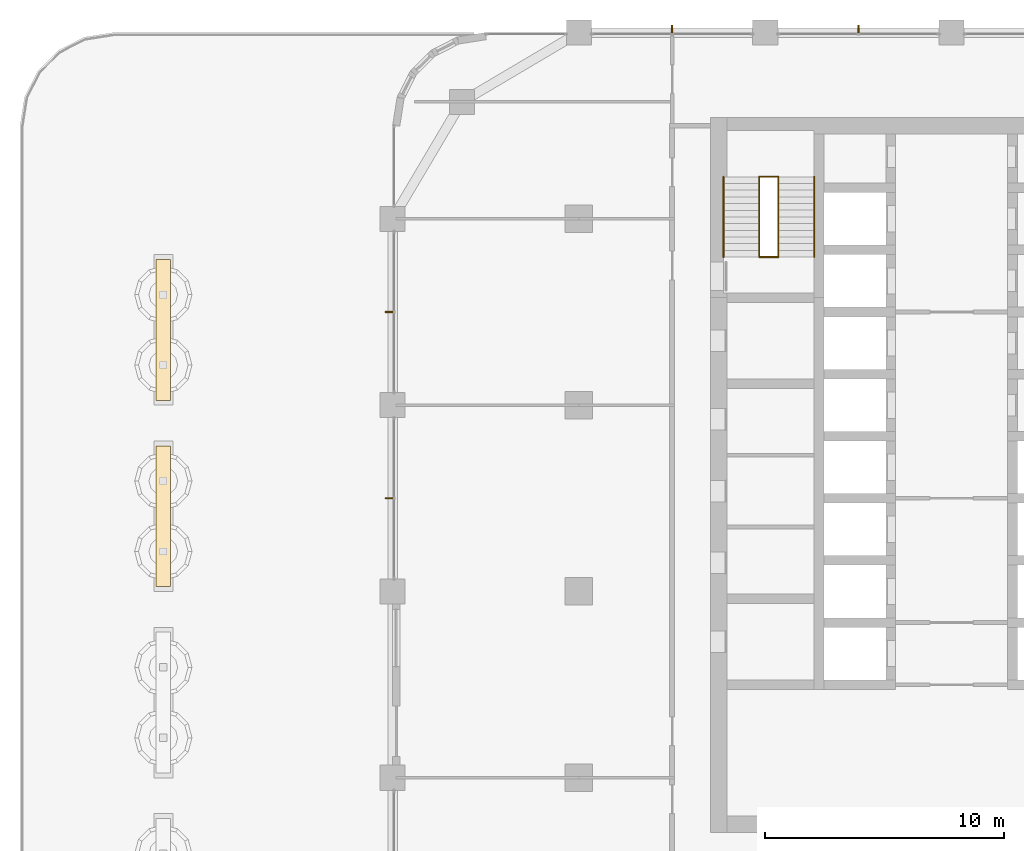
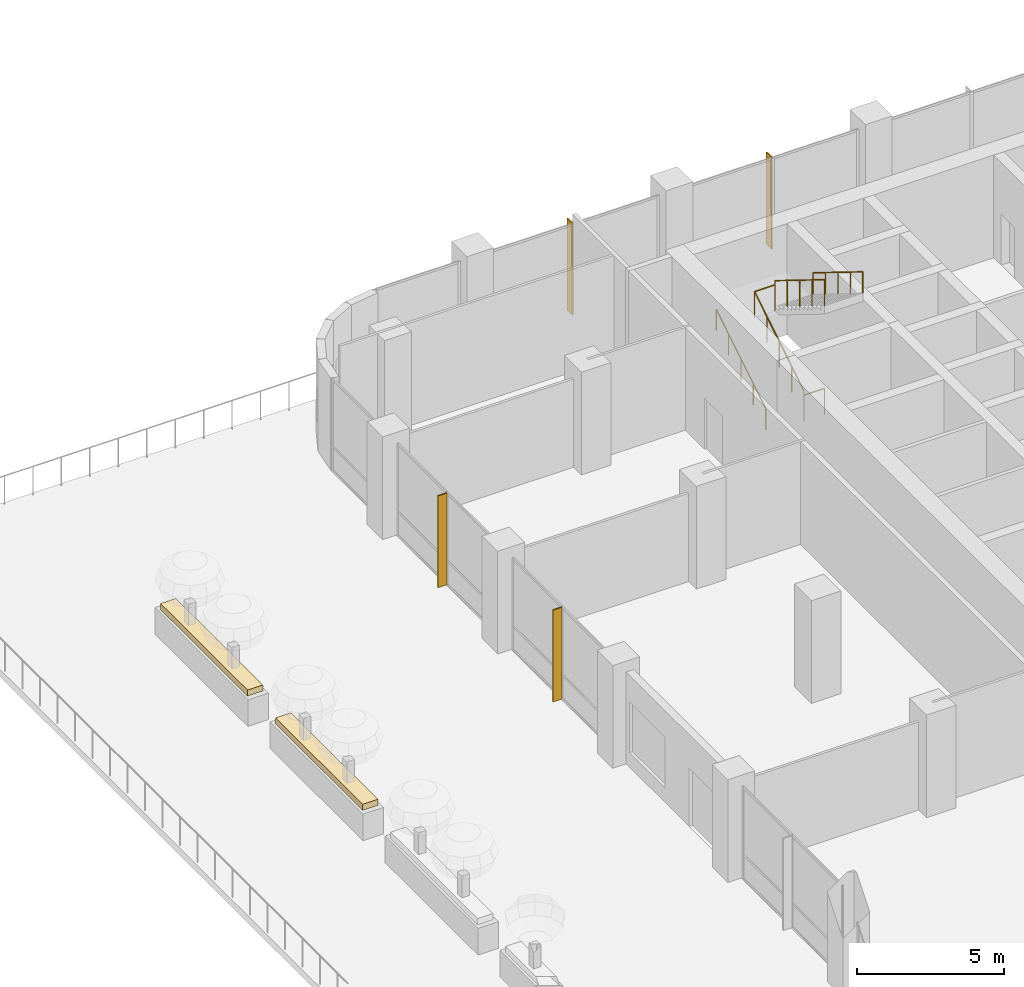
# One storey, part 23 of 31: 6 railings, 4 shading devices, 2 coverings, 1 element without a shape of its own.
"""IFC4 building model written with IfcOpenShell, lengths in metres."""

from ifc_helpers import new_model, si_unit, direction, frame, origin, origin_2d, place, context, subcontext, project, spatial, rectangle, circle, extrude, material, layer, layer_set, type_object, element, aggregate, save


model = new_model("IFC4")

# Units and contexts
model_context = context("Model", 3, precision=1e-05, world=origin(), true_north=direction((0.0, 1.0)))
body_context = subcontext(model_context, "Body", "Model", "MODEL_VIEW")
ifc_project = project(units=[si_unit("LENGTHUNIT", "METRE"), si_unit("AREAUNIT", "SQUARE_METRE"), si_unit("VOLUMEUNIT", "CUBIC_METRE"), si_unit("PLANEANGLEUNIT", "RADIAN"), si_unit("MASSUNIT", "GRAM", prefix="KILO")], contexts=[model_context])

# Site, building, storey
site_placement = place(None, origin())
site = spatial("IfcSite", under=ifc_project, at=site_placement, CompositionType="ELEMENT")
building_placement = place(site_placement, origin())
building = spatial("IfcBuilding", under=site, at=building_placement, Name="Ludao Terraces", CompositionType="ELEMENT")
storey_placement = place(building_placement, frame((0.0, 0.0, 15.0)))
storey = spatial("IfcBuildingStorey", under=building, at=storey_placement, Name="L03", CompositionType="ELEMENT", Elevation=15.0)

# Shading devices
ifc_material_1 = material(Name="Aluminium 6063-T6", Category="aluminium")
ifc_layer_1 = layer(ifc_material_1, 0.050048828125)
ifc_layer_set_1 = layer_set([ifc_layer_1], Name="ENV Sun fin 50x350")
shading_device_type = type_object("IfcShadingDeviceType", Name="ENV Sun fin 50x350", PredefinedType="USERDEFINED", material=ifc_layer_set_1)
for number, where, z_axis, x_axis, name in (
    (1, (73.300048828125, 88.5400390625, 0.0), (0.0, 0.0, 1.0), (1.0, 0.0, 0.0), "FN-CW-L03-N2-1"),
    (2, (81.10009765625, 88.5400390625, 0.0), (0.0, 0.0, 1.0), (1.0, 0.0, 0.0), "FN-CW-L03-N3-1"),
):
    element("IfcShadingDevice", number, at=place(storey_placement, frame(where, z_axis=z_axis, x_axis=x_axis)), inside=storey, type_object=shading_device_type, Name=name, ObjectType="FIN", PredefinedType="USERDEFINED", context=body_context, shape_type="SweptSolid", body=[
        extrude(rectangle(XDim=0.050048828125, YDim=0.35009765625, at=origin_2d()), origin(), (0.0, 0.0, 1.0), 3.800048828125),
    ])
for number, where, z_axis, x_axis, name in (
    (3, (61.4599609375, 68.89990234375, 0.0), (0.0, 0.0, 1.0), (1.0, 0.0, 0.0), "FN-CW-L03-W4-1"),
    (4, (61.4599609375, 76.699951171875, 0.0), (0.0, 0.0, 1.0), (1.0, 0.0, 0.0), "FN-CW-L03-W5-1"),
):
    element("IfcShadingDevice", number, at=place(storey_placement, frame(where, z_axis=z_axis, x_axis=x_axis)), inside=storey, type_object=shading_device_type, Name=name, ObjectType="FIN", PredefinedType="USERDEFINED", context=body_context, shape_type="SweptSolid", body=[
        extrude(rectangle(XDim=0.35009765625, YDim=0.050048828125, at=origin_2d()), origin(), (0.0, 0.0, 1.0), 3.800048828125),
    ])

# Coverings
ifc_material_2 = material(Name="Planting")
ifc_layer_2 = layer(ifc_material_2, 0.60009765625)
ifc_layer_set_2 = layer_set([ifc_layer_2], Name="ENV Terrace planting bed 250")
covering_type = type_object("IfcCoveringType", Name="ENV Terrace planting bed 250", PredefinedType="USERDEFINED", material=ifc_layer_set_2)
for number, where, z_axis, x_axis, name in (
    (5, (52.0, 68.14990234375, 1.10009765625), (0.0, 0.0, 1.0), (1.0, 0.0, 0.0), "Terrace planting bed L03-T13"),
    (6, (52.0, 75.949951171875, 1.10009765625), (0.0, 0.0, 1.0), (1.0, 0.0, 0.0), "Terrace planting bed L03-T14"),
):
    element("IfcCovering", number, at=place(storey_placement, frame(where, z_axis=z_axis, x_axis=x_axis)), inside=storey, type_object=covering_type, Name=name, ObjectType="PLANTING", PredefinedType="USERDEFINED", context=body_context, shape_type="SweptSolid", body=[
        extrude(rectangle(XDim=0.60009765625, YDim=5.89990234375, at=origin_2d()), origin(), (0.0, 0.0, 1.0), 0.25),
    ])

# Stair, railings
ifc_material_3 = material(Name="Concrete C40", Category="concrete")
stair_type = type_object("IfcStairType", Name="INT Stair", PredefinedType="HALF_TURN_STAIR", material=ifc_material_3)
stair_placement = place(storey_placement, origin())
stair = element("IfcStair", 7, at=stair_placement, inside=storey, type_object=stair_type, Name="EXIT STAIR 1", PredefinedType="HALF_TURN_STAIR")
ifc_material_4 = material(Name="Stainless steel 304", Category="steel")
railing_type_1 = type_object("IfcRailingType", Name="INT Stair guard 1100", PredefinedType="GUARDRAIL", material=ifc_material_4)
railing_1_placement = place(storey_placement, frame((76.949951171875, 79.0, 0.173095703125)))
railing_1 = element("IfcRailing", 8, at=railing_1_placement, type_object=railing_type_1, Name="ST-L03-S1-R1G", PredefinedType="GUARDRAIL", context=body_context, shape_type="SweptSolid", body=[
    extrude(circle(Radius=0.02392578125, at=origin_2d()), frame((0.0, 0.0, 1.076171875), z_axis=(0.0, 0.850623216509, 0.525775754039), x_axis=(-1.0, 0.0, 0.0)), (0.0, 0.0, 1.0), 3.9501953125),
    extrude(circle(Radius=0.02099609375, at=origin_2d()), origin(), (0.0, 0.0, 1.0), 1.052001953125),
    extrude(circle(Radius=0.02099609375, at=origin_2d()), frame((0.0, 0.840087890625, 0.519287109375)), (0.0, 0.0, 1.0), 1.052001953125),
    extrude(circle(Radius=0.02099609375, at=origin_2d()), frame((0.0, 1.68017578125, 1.03857421875)), (0.0, 0.0, 1.0), 1.052001953125),
    extrude(circle(Radius=0.02099609375, at=origin_2d()), frame((0.0, 2.52001953125, 1.5576171875)), (0.0, 0.0, 1.0), 1.052001953125),
    extrude(circle(Radius=0.02099609375, at=origin_2d()), frame((0.0, 3.360107421875, 2.076904296875)), (0.0, 0.0, 1.0), 1.052001953125),
])
railing_2_placement = place(storey_placement, frame((77.75, 82.360107421875, 2.423095703125)))
railing_2 = element("IfcRailing", 9, at=railing_2_placement, type_object=railing_type_1, Name="ST-L03-S1-R2G", PredefinedType="GUARDRAIL", context=body_context, shape_type="SweptSolid", body=[
    extrude(circle(Radius=0.02392578125, at=origin_2d()), frame((0.0, 0.0, 1.076171875), z_axis=(0.0, -0.850623216509, 0.525775754039), x_axis=(1.0, 0.0, 0.0)), (0.0, 0.0, 1.0), 3.9501953125),
    extrude(circle(Radius=0.02099609375, at=origin_2d()), origin(), (0.0, 0.0, 1.0), 1.052001953125),
    extrude(circle(Radius=0.02099609375, at=origin_2d()), frame((0.0, -0.840087890625, 0.519287109375)), (0.0, 0.0, 1.0), 1.052001953125),
    extrude(circle(Radius=0.02099609375, at=origin_2d()), frame((0.0, -1.68017578125, 1.03857421875)), (0.0, 0.0, 1.0), 1.052001953125),
    extrude(circle(Radius=0.02099609375, at=origin_2d()), frame((0.0, -2.52001953125, 1.5576171875)), (0.0, 0.0, 1.0), 1.052001953125),
    extrude(circle(Radius=0.02099609375, at=origin_2d()), frame((0.0, -3.360107421875, 2.076904296875)), (0.0, 0.0, 1.0), 1.052001953125),
])
railing_3_placement = place(storey_placement, frame((76.949951171875, 82.360107421875, 2.25)))
railing_3 = element("IfcRailing", 10, at=railing_3_placement, type_object=railing_type_1, Name="ST-L03-S1-E1G", PredefinedType="GUARDRAIL", context=body_context, shape_type="SweptSolid", body=[
    extrude(circle(Radius=0.02392578125, at=origin_2d()), frame((0.0, 0.0, 1.076171875), z_axis=(1.0, 0.0, 0.0), x_axis=(0.0, 1.0, 0.0)), (0.0, 0.0, 1.0), 0.800048828125),
    extrude(circle(Radius=0.02099609375, at=origin_2d()), origin(), (0.0, 0.0, 1.0), 1.052001953125),
    extrude(circle(Radius=0.02099609375, at=origin_2d()), frame((0.800048828125, 0.0, 0.0)), (0.0, 0.0, 1.0), 1.052001953125),
])
railing_4_placement = place(storey_placement, frame((76.949951171875, 79.0, 0.0)))
railing_4 = element("IfcRailing", 11, at=railing_4_placement, type_object=railing_type_1, Name="ST-L03-S1-E2G", PredefinedType="GUARDRAIL", context=body_context, shape_type="SweptSolid", body=[
    extrude(circle(Radius=0.02392578125, at=origin_2d()), frame((0.0, 0.0, 1.076171875), z_axis=(1.0, 0.0, 0.0), x_axis=(0.0, 1.0, 0.0)), (0.0, 0.0, 1.0), 0.800048828125),
    extrude(circle(Radius=0.02099609375, at=origin_2d()), origin(), (0.0, 0.0, 1.0), 1.052001953125),
    extrude(circle(Radius=0.02099609375, at=origin_2d()), frame((0.800048828125, 0.0, 0.0)), (0.0, 0.0, 1.0), 1.052001953125),
])
railing_type_2 = type_object("IfcRailingType", Name="INT Stair handrail 900", PredefinedType="HANDRAIL", material=ifc_material_4)
railing_5_placement = place(storey_placement, frame((75.449951171875, 79.0, 0.173095703125)))
railing_5 = element("IfcRailing", 12, at=railing_5_placement, type_object=railing_type_2, Name="ST-L03-S1-R1H", PredefinedType="HANDRAIL", context=body_context, shape_type="SweptSolid", body=[
    extrude(circle(Radius=0.02392578125, at=origin_2d()), frame((0.0, 0.0, 0.8759765625), z_axis=(0.0, 0.850623216509, 0.525775754039), x_axis=(-1.0, 0.0, 0.0)), (0.0, 0.0, 1.0), 3.9501953125),
    extrude(circle(Radius=0.02099609375, at=origin_2d()), origin(), (0.0, 0.0, 1.0), 0.851806640625),
    extrude(circle(Radius=0.02099609375, at=origin_2d()), frame((0.0, 0.840087890625, 0.519287109375)), (0.0, 0.0, 1.0), 0.851806640625),
    extrude(circle(Radius=0.02099609375, at=origin_2d()), frame((0.0, 1.68017578125, 1.03857421875)), (0.0, 0.0, 1.0), 0.851806640625),
    extrude(circle(Radius=0.02099609375, at=origin_2d()), frame((0.0, 2.52001953125, 1.5576171875)), (0.0, 0.0, 1.0), 0.851806640625),
    extrude(circle(Radius=0.02099609375, at=origin_2d()), frame((0.0, 3.360107421875, 2.076904296875)), (0.0, 0.0, 1.0), 0.851806640625),
])
railing_6_placement = place(storey_placement, frame((79.25, 82.360107421875, 2.423095703125)))
railing_6 = element("IfcRailing", 13, at=railing_6_placement, type_object=railing_type_2, Name="ST-L03-S1-R2H", PredefinedType="HANDRAIL", context=body_context, shape_type="SweptSolid", body=[
    extrude(circle(Radius=0.02392578125, at=origin_2d()), frame((0.0, 0.0, 0.8759765625), z_axis=(0.0, -0.850623216509, 0.525775754039), x_axis=(1.0, 0.0, 0.0)), (0.0, 0.0, 1.0), 3.9501953125),
    extrude(circle(Radius=0.02099609375, at=origin_2d()), origin(), (0.0, 0.0, 1.0), 0.851806640625),
    extrude(circle(Radius=0.02099609375, at=origin_2d()), frame((0.0, -0.840087890625, 0.519287109375)), (0.0, 0.0, 1.0), 0.851806640625),
    extrude(circle(Radius=0.02099609375, at=origin_2d()), frame((0.0, -1.68017578125, 1.03857421875)), (0.0, 0.0, 1.0), 0.851806640625),
    extrude(circle(Radius=0.02099609375, at=origin_2d()), frame((0.0, -2.52001953125, 1.5576171875)), (0.0, 0.0, 1.0), 0.851806640625),
    extrude(circle(Radius=0.02099609375, at=origin_2d()), frame((0.0, -3.360107421875, 2.076904296875)), (0.0, 0.0, 1.0), 0.851806640625),
])
aggregate(stair, [railing_1, railing_5, railing_2, railing_6, railing_3, railing_4])

save(model, "model.ifc")
